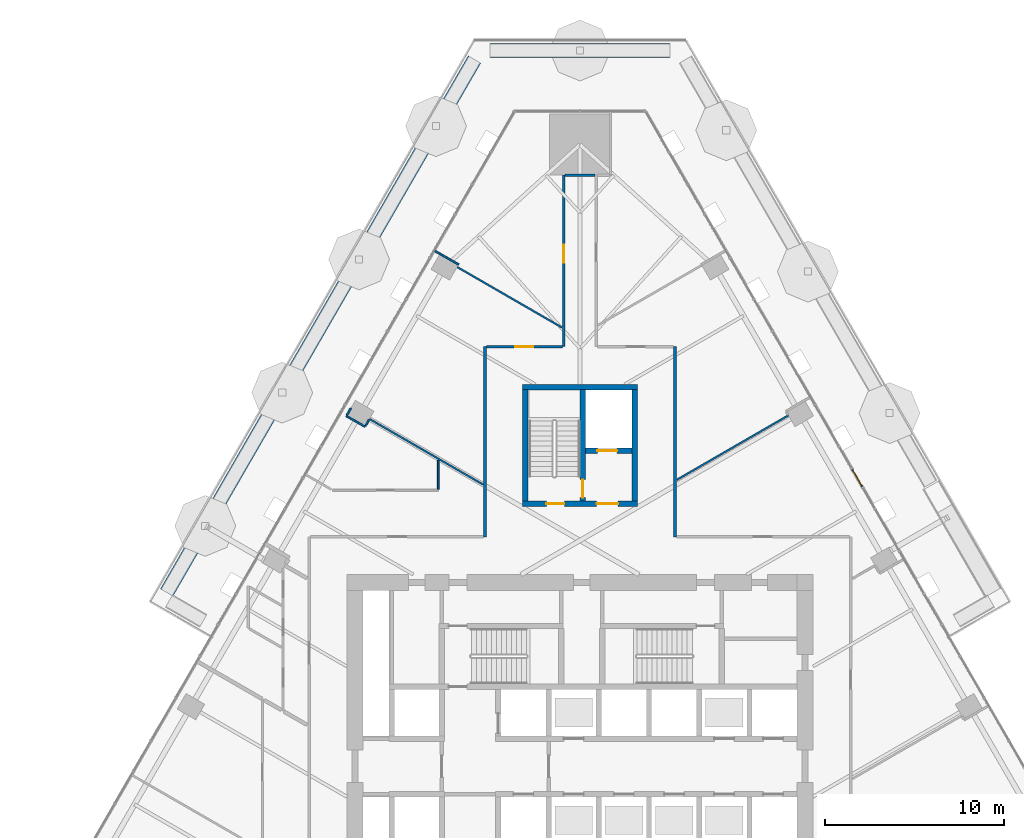
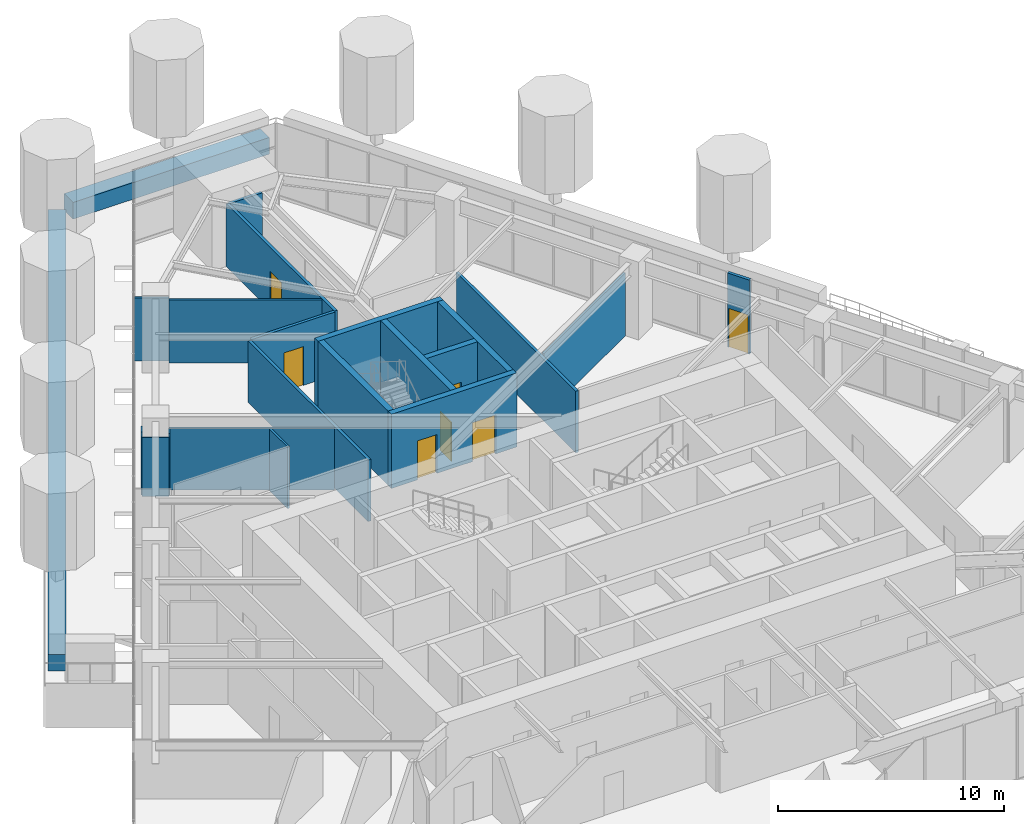
# One storey, part 20 of 25: 22 walls, 7 doors, 7 openings, 1 element without a shape of its own.
"""IFC4 building model written with IfcOpenShell, lengths in metres."""

from ifc_helpers import new_model, si_unit, direction, frame, frame_2d, origin, place, context, subcontext, project, spatial, rectangle, extrude, material, layer, layer_set, type_object, element, fill, aggregate, save


model = new_model("IFC4")

# Units and contexts
model_context = context("Model", 3, precision=1e-05, world=origin(), true_north=direction((0.0, 1.0)))
body_context = subcontext(model_context, "Body", "Model", "MODEL_VIEW")
ifc_project = project(units=[si_unit("LENGTHUNIT", "METRE"), si_unit("AREAUNIT", "SQUARE_METRE"), si_unit("VOLUMEUNIT", "CUBIC_METRE"), si_unit("PLANEANGLEUNIT", "RADIAN"), si_unit("MASSUNIT", "GRAM", prefix="KILO")], contexts=[model_context])

# Site, building, storey
site_placement = place(None, origin())
site = spatial("IfcSite", under=ifc_project, at=site_placement, CompositionType="ELEMENT")
building_placement = place(site_placement, origin())
building = spatial("IfcBuilding", under=site, at=building_placement, Name="Firuza Gate Tower and Library", CompositionType="ELEMENT")
storey_placement = place(building_placement, frame((0.0, 0.0, 86.199951171875)))
storey = spatial("IfcBuildingStorey", under=building, at=storey_placement, Name="L19", CompositionType="ELEMENT", Elevation=86.199951171875)

# Wall, openings, doors
ifc_material_1 = material(Name="Concrete C80/95", Category="concrete")
ifc_layer_1 = layer(ifc_material_1, 0.300048828125)
ifc_layer_set_1 = layer_set([ifc_layer_1], Name="Core wall 300 C80/95")
wall_type_1 = type_object("IfcWallType", Name="Core wall 300 C80/95", PredefinedType="SHEAR", material=ifc_layer_set_1)
wall_1_placement = place(storey_placement, frame((71.800048828125, 87.949951171875, 0.0), z_axis=(0.0, 0.0, 1.0), x_axis=(1.0, 0.0, 0.0)))
wall_1 = element("IfcWall", 1, at=wall_1_placement, inside=storey, type_object=wall_type_1, Name="Core wall L19 34", PredefinedType="SHEAR", context=body_context, shape_type="SweptSolid", body=[
    extrude(rectangle(XDim=6.39990234375, YDim=0.300048828125, at=frame_2d((3.199951171875, 0.0))), origin(), (0.0, 0.0, 1.0), 4.0),
])
opening_1_placement = place(wall_1_placement, frame((1.324951171875, 0.0, 0.0)))
opening_1 = element("IfcOpeningElement", 2, at=opening_1_placement, cuts=wall_1, Name="Opening L19-K17", PredefinedType="OPENING", context=body_context, shape_type="SweptSolid", body=[
    extrude(rectangle(XDim=1.0, YDim=2.10009765625, at=frame_2d((0.5, 1.050048828125))), frame((0.0, 0.16015625, 0.0), z_axis=(0.0, -1.0, 0.0), x_axis=(1.0, 0.0, 0.0)), (0.0, 0.0, 1.0), 0.320068359375),
])
opening_2_placement = place(wall_1_placement, frame((4.125, 0.0, 0.0)))
opening_2 = element("IfcOpeningElement", 3, at=opening_2_placement, cuts=wall_1, Name="Opening L19-K19", PredefinedType="OPENING", context=body_context, shape_type="SweptSolid", body=[
    extrude(rectangle(XDim=1.199951171875, YDim=2.10009765625, at=frame_2d((0.60009765625, 1.050048828125))), frame((0.0, 0.16015625, 0.0), z_axis=(0.0, -1.0, 0.0), x_axis=(1.0, 0.0, 0.0)), (0.0, 0.0, 1.0), 0.320068359375),
])
ifc_material_2 = material(Name="Steel", Category="steel")
door_type_1 = type_object("IfcDoorType", Name="Fire door 1000x2100 FD90", OperationType="NOTDEFINED", PredefinedType="DOOR", material=ifc_material_2)
door_1_placement = place(opening_1_placement, origin())
door_1 = element("IfcDoor", 4, at=door_1_placement, inside=storey, type_object=door_type_1, Name="Door L19-K17", OperationType="SINGLE_SWING_RIGHT", OverallHeight=2.10009765625, OverallWidth=1.0, PredefinedType="DOOR", context=body_context, shape_type="SweptSolid", body=[
    extrude(rectangle(XDim=1.0, YDim=2.10009765625, at=frame_2d((0.5, 1.050048828125))), frame((0.0, 0.02490234375, 0.0), z_axis=(0.0, -1.0, 0.0), x_axis=(1.0, 0.0, 0.0)), (0.0, 0.0, 1.0), 0.050048828125),
])
fill(opening_1, door_1)
ifc_material_3 = material(Name="Steel", Category="steel")
door_type_2 = type_object("IfcDoorType", Name="Fire door 1200x2100 FD30S", OperationType="NOTDEFINED", PredefinedType="DOOR", material=ifc_material_3)
door_2_placement = place(opening_2_placement, origin())
door_2 = element("IfcDoor", 5, at=door_2_placement, inside=storey, type_object=door_type_2, Name="Door L19-K19", OperationType="SINGLE_SWING_RIGHT", OverallHeight=2.10009765625, OverallWidth=1.199951171875, PredefinedType="DOOR", context=body_context, shape_type="SweptSolid", body=[
    extrude(rectangle(XDim=1.199951171875, YDim=2.10009765625, at=frame_2d((0.60009765625, 1.050048828125))), frame((0.0, 0.02490234375, 0.0), z_axis=(0.0, -1.0, 0.0), x_axis=(1.0, 0.0, 0.0)), (0.0, 0.0, 1.0), 0.050048828125),
])
fill(opening_2, door_2)

# Walls
wall_2_placement = place(storey_placement, frame((71.800048828125, 94.449951171875, 0.0), z_axis=(0.0, 0.0, 1.0), x_axis=(1.0, 0.0, 0.0)))
element("IfcWall", 6, at=wall_2_placement, inside=storey, type_object=wall_type_1, Name="Core wall L19 35", PredefinedType="SHEAR", context=body_context, shape_type="SweptSolid", body=[
    extrude(rectangle(XDim=6.39990234375, YDim=0.300048828125, at=frame_2d((3.199951171875, 0.0))), origin(), (0.0, 0.0, 1.0), 4.0),
])
for number, where, z_axis, x_axis, name in (
    (7, (71.949951171875, 88.10009765625, 0.0), (0.0, 0.0, 1.0), (0.0, 1.0, 0.0), "Core wall L19 36"),
    (8, (78.050048828125, 88.10009765625, 0.0), (0.0, 0.0, 1.0), (0.0, 1.0, 0.0), "Core wall L19 37"),
):
    element("IfcWall", number, at=place(storey_placement, frame(where, z_axis=z_axis, x_axis=x_axis)), inside=storey, type_object=wall_type_1, Name=name, PredefinedType="SHEAR", context=body_context, shape_type="SweptSolid", body=[
        extrude(rectangle(XDim=6.199951171875, YDim=0.300048828125, at=frame_2d((3.10009765625, 0.0))), origin(), (0.0, 0.0, 1.0), 4.0),
    ])

# Wall, opening, door
wall_3_placement = place(storey_placement, frame((75.300048828125, 90.89990234375, 0.0), z_axis=(0.0, 0.0, 1.0), x_axis=(1.0, 0.0, 0.0)))
wall_3 = element("IfcWall", 9, at=wall_3_placement, inside=storey, type_object=wall_type_1, Name="Core wall L19 38", PredefinedType="SHEAR", context=body_context, shape_type="SweptSolid", body=[
    extrude(rectangle(XDim=2.599853515625, YDim=0.300048828125, at=frame_2d((1.2998046875, 0.0))), origin(), (0.0, 0.0, 1.0), 4.0),
])
opening_3_placement = place(wall_3_placement, frame((0.675048828125, 0.0, 0.0)))
opening_3 = element("IfcOpeningElement", 10, at=opening_3_placement, cuts=wall_3, Name="Opening LD-SV1-L19", PredefinedType="OPENING", context=body_context, shape_type="SweptSolid", body=[
    extrude(rectangle(XDim=1.10009765625, YDim=2.10009765625, at=frame_2d((0.550048828125, 1.050048828125))), frame((0.0, 0.16015625, 0.0), z_axis=(0.0, -1.0, 0.0), x_axis=(1.0, 0.0, 0.0)), (0.0, 0.0, 1.0), 0.320068359375),
])
ifc_material_4 = material(Name="Stainless steel", Category="steel")
door_type_3 = type_object("IfcDoorType", Name="Lift landing door 1100x2100", OperationType="DOUBLE_DOOR_SLIDING", PredefinedType="DOOR", material=ifc_material_4)
door_3_placement = place(opening_3_placement, origin())
door_3 = element("IfcDoor", 11, at=door_3_placement, inside=storey, type_object=door_type_3, Name="Landing door SV1 L19", OperationType="DOUBLE_DOOR_SLIDING", OverallHeight=2.10009765625, OverallWidth=1.10009765625, PredefinedType="DOOR", context=body_context, shape_type="SweptSolid", body=[
    extrude(rectangle(XDim=1.10009765625, YDim=2.10009765625, at=frame_2d((0.550048828125, 1.050048828125))), frame((0.0, 0.02490234375, 0.0), z_axis=(0.0, -1.0, 0.0), x_axis=(1.0, 0.0, 0.0)), (0.0, 0.0, 1.0), 0.050048828125),
])
fill(opening_3, door_3)

wall_4_placement = place(storey_placement, frame((75.14990234375, 88.10009765625, 0.0), z_axis=(0.0, 0.0, 1.0), x_axis=(0.0, 1.0, 0.0)))
wall_4 = element("IfcWall", 12, at=wall_4_placement, inside=storey, type_object=wall_type_1, Name="Core wall L19 39", PredefinedType="SHEAR", context=body_context, shape_type="SweptSolid", body=[
    extrude(rectangle(XDim=6.199951171875, YDim=0.300048828125, at=frame_2d((3.10009765625, 0.0))), origin(), (0.0, 0.0, 1.0), 4.0),
])
opening_4_placement = place(wall_4_placement, frame((0.18505859375, 0.0, 0.0)))
opening_4 = element("IfcOpeningElement", 13, at=opening_4_placement, cuts=wall_4, Name="Opening L19-K18", PredefinedType="OPENING", context=body_context, shape_type="SweptSolid", body=[
    extrude(rectangle(XDim=1.0, YDim=2.10009765625, at=frame_2d((0.5, 1.050048828125))), frame((0.0, 0.16015625, 0.0), z_axis=(0.0, -1.0, 0.0), x_axis=(1.0, 0.0, 0.0)), (0.0, 0.0, 1.0), 0.320068359375),
])
door_4_placement = place(opening_4_placement, origin())
door_4 = element("IfcDoor", 14, at=door_4_placement, inside=storey, type_object=door_type_1, Name="Door L19-K18", OperationType="SINGLE_SWING_LEFT", OverallHeight=2.10009765625, OverallWidth=1.0, PredefinedType="DOOR", context=body_context, shape_type="SweptSolid", body=[
    extrude(rectangle(XDim=1.0, YDim=2.10009765625, at=frame_2d((0.5, 1.050048828125))), frame((0.0, 0.02490234375, 0.0), z_axis=(0.0, -1.0, 0.0), x_axis=(1.0, 0.0, 0.0)), (0.0, 0.0, 1.0), 0.050048828125),
])
fill(opening_4, door_4)

ifc_material_5 = material(Name="Gypsum board partition")
ifc_layer_2 = layer(ifc_material_5, 0.14990234375)
ifc_layer_set_2 = layer_set([ifc_layer_2], Name="Corridor wall 150 double board on steel studs")
wall_type_2 = type_object("IfcWallType", Name="Corridor wall 150 double board on steel studs", PredefinedType="PARTITIONING", material=ifc_layer_set_2)
wall_5_placement = place(storey_placement, frame((74.02490234375, 96.699951171875, 0.0), z_axis=(0.0, 0.0, 1.0), x_axis=(-1.0, 0.0, 0.0)))
wall_5 = element("IfcWall", 15, at=wall_5_placement, inside=storey, type_object=wall_type_2, Name="f:L19:w008", PredefinedType="PARTITIONING", context=body_context, shape_type="SweptSolid", body=[
    extrude(rectangle(XDim=4.24951171875, YDim=0.14990234375, at=frame_2d((2.124755859375, 0.0))), origin(), (0.0, 0.0, 1.0), 3.400146484375),
])
opening_5_placement = place(wall_5_placement, frame((1.624755859375, 0.0, 0.0)))
opening_5 = element("IfcOpeningElement", 16, at=opening_5_placement, cuts=wall_5, Name="Opening L19-13", PredefinedType="OPENING", context=body_context, shape_type="SweptSolid", body=[
    extrude(rectangle(XDim=1.0, YDim=2.10009765625, at=frame_2d((0.5, 1.050048828125))), frame((0.0, 0.0849609375, 0.0), z_axis=(0.0, -1.0, 0.0), x_axis=(1.0, 0.0, 0.0)), (0.0, 0.0, 1.0), 0.169921875),
])
ifc_material_6 = material(Name="Steel door and timber leaf", Category="steel")
door_type_4 = type_object("IfcDoorType", Name="Fire door 1000 x 2100 steel frame, timber leaf", OperationType="NOTDEFINED", PredefinedType="DOOR", material=ifc_material_6)
door_5_placement = place(opening_5_placement, origin())
door_5 = element("IfcDoor", 17, at=door_5_placement, inside=storey, type_object=door_type_4, Name="f:L19:d013", OperationType="SINGLE_SWING_LEFT", OverallHeight=2.10009765625, OverallWidth=1.0, PredefinedType="DOOR", context=body_context, shape_type="SweptSolid", body=[
    extrude(rectangle(XDim=1.0, YDim=2.10009765625, at=frame_2d((0.5, 1.050048828125))), frame((0.0, 0.02490234375, 0.0), z_axis=(0.0, -1.0, 0.0), x_axis=(1.0, 0.0, 0.0)), (0.0, 0.0, 1.0), 0.050048828125),
])
fill(opening_5, door_5)

# Walls
wall_6_placement = place(storey_placement, frame((74.175537109375, 106.26611328125, 0.0), z_axis=(0.0, 0.0, 1.0), x_axis=(1.0, 0.0, 0.0)))
element("IfcWall", 18, at=wall_6_placement, inside=storey, type_object=wall_type_2, Name="f:L19:w010", PredefinedType="PARTITIONING", context=body_context, shape_type="SweptSolid", body=[
    extrude(rectangle(XDim=1.6494140625, YDim=0.14990234375, at=frame_2d((0.82470703125, 0.0))), origin(), (0.0, 0.0, 1.0), 3.39697265625),
])
wall_7_placement = place(storey_placement, frame((80.300048828125, 86.10009765625, 0.0), z_axis=(0.0, 0.0, 1.0), x_axis=(0.0, 1.0, 0.0)))
element("IfcWall", 19, at=wall_7_placement, inside=storey, type_object=wall_type_2, Name="f:L19:w035", PredefinedType="PARTITIONING", context=body_context, shape_type="SweptSolid", body=[
    extrude(rectangle(XDim=10.599365234375, YDim=0.14990234375, at=frame_2d((5.2998046875, 0.0))), origin(), (0.0, 0.0, 1.0), 3.322021484375),
])

# Wall, opening, door
wall_8_placement = place(storey_placement, frame((74.10009765625, 96.699951171875, 0.0), z_axis=(0.0, 0.0, 1.0), x_axis=(0.0, 1.0, 0.0)))
wall_8 = element("IfcWall", 20, at=wall_8_placement, inside=storey, type_object=wall_type_2, Name="f:L19:w041", PredefinedType="PARTITIONING", context=body_context, shape_type="SweptSolid", body=[
    extrude(rectangle(XDim=9.565673828125, YDim=0.14990234375, at=frame_2d((4.78271484375, 0.0))), origin(), (0.0, 0.0, 1.0), 3.400146484375),
])
opening_6_placement = place(wall_8_placement, frame((4.686279296875, 0.0, 0.0)))
opening_6 = element("IfcOpeningElement", 21, at=opening_6_placement, cuts=wall_8, Name="Opening L19-24", PredefinedType="OPENING", context=body_context, shape_type="SweptSolid", body=[
    extrude(rectangle(XDim=1.0, YDim=2.10009765625, at=frame_2d((0.5, 1.050048828125))), frame((0.0, 0.0849609375, 0.0), z_axis=(0.0, -1.0, 0.0), x_axis=(1.0, 0.0, 0.0)), (0.0, 0.0, 1.0), 0.169921875),
])
door_6_placement = place(opening_6_placement, origin())
door_6 = element("IfcDoor", 22, at=door_6_placement, inside=storey, type_object=door_type_4, Name="f:L19:d024", OperationType="SINGLE_SWING_LEFT", OverallHeight=2.10009765625, OverallWidth=1.0, PredefinedType="DOOR", context=body_context, shape_type="SweptSolid", body=[
    extrude(rectangle(XDim=1.0, YDim=2.10009765625, at=frame_2d((0.5, 1.050048828125))), frame((0.0, 0.02490234375, 0.0), z_axis=(0.0, -1.0, 0.0), x_axis=(1.0, 0.0, 0.0)), (0.0, 0.0, 1.0), 0.050048828125),
])
fill(opening_6, door_6)

# Walls
wall_9_placement = place(storey_placement, frame((69.699951171875, 86.10009765625, 0.0), z_axis=(0.0, 0.0, 1.0), x_axis=(0.0, 1.0, 0.0)))
element("IfcWall", 23, at=wall_9_placement, inside=storey, type_object=wall_type_2, Name="f:L19:w043", PredefinedType="PARTITIONING", context=body_context, shape_type="SweptSolid", body=[
    extrude(rectangle(XDim=10.599365234375, YDim=0.14990234375, at=frame_2d((5.2998046875, 0.0))), origin(), (0.0, 0.0, 1.0), 3.322021484375),
])
ifc_material_7 = material(Name="Gypsum board partition")
ifc_layer_3 = layer(ifc_material_7, 0.10009765625)
ifc_layer_set_3 = layer_set([ifc_layer_3], Name="Partition 100 gypsum board on steel studs")
wall_type_3 = type_object("IfcWallType", Name="Partition 100 gypsum board on steel studs", PredefinedType="PARTITIONING", material=ifc_layer_set_3)
wall_10_placement = place(storey_placement, frame((80.401123046875, 89.27978515625, 0.0), z_axis=(0.0, 0.0, 1.0), x_axis=(0.866017489163, 0.500013708276, 0.0)))
element("IfcWall", 24, at=wall_10_placement, inside=storey, type_object=wall_type_3, Name="f:L19:w023", PredefinedType="PARTITIONING", context=body_context, shape_type="SweptSolid", body=[
    extrude(rectangle(XDim=7.183349609375, YDim=0.10009765625, at=frame_2d((3.591796875, 0.0))), origin(), (0.0, 0.0, 1.0), 3.400146484375),
])
wall_11_placement = place(storey_placement, frame((63.037841796875, 92.28271484375, 0.0), z_axis=(0.0, 0.0, 1.0), x_axis=(0.500246304613, 0.865883153041, 0.0)))
element("IfcWall", 25, at=wall_11_placement, inside=storey, type_object=wall_type_3, Name="f:L19:w029", PredefinedType="PARTITIONING", context=body_context, shape_type="SweptSolid", body=[
    extrude(rectangle(XDim=0.389892578125, YDim=0.10009765625, at=frame_2d((0.19482421875, 0.0))), origin(), (0.0, 0.0, 1.0), 3.322021484375),
])
wall_12_placement = place(storey_placement, frame((62.002197265625, 92.888671875, 0.0), z_axis=(0.0, 0.0, 1.0), x_axis=(0.4997542532, 0.866167239284, 0.0)))
element("IfcWall", 26, at=wall_12_placement, inside=storey, type_object=wall_type_3, Name="f:L19:w030", PredefinedType="PARTITIONING", context=body_context, shape_type="SweptSolid", body=[
    extrude(rectangle(XDim=0.443115234375, YDim=0.10009765625, at=frame_2d((0.2216796875, 0.0))), origin(), (0.0, 0.0, 1.0), 3.400146484375),
])
wall_13_placement = place(storey_placement, frame((67.10009765625, 88.75, 0.0), z_axis=(0.0, 0.0, 1.0), x_axis=(0.0, 1.0, 0.0)))
element("IfcWall", 27, at=wall_13_placement, inside=storey, type_object=wall_type_3, Name="f:L19:w044", PredefinedType="PARTITIONING", context=body_context, shape_type="SweptSolid", body=[
    extrude(rectangle(XDim=1.619140625, YDim=0.10009765625, at=frame_2d((0.8095703125, 0.0))), origin(), (0.0, 0.0, 1.0), 3.322021484375),
])
wall_14_placement = place(storey_placement, frame((68.23046875, 101.27734375, 0.0), z_axis=(0.0, 0.0, 1.0), x_axis=(-0.866018739521, 0.500011542666, 0.0)))
element("IfcWall", 28, at=wall_14_placement, inside=storey, type_object=wall_type_3, Name="f:L19:w058", PredefinedType="PARTITIONING", context=body_context, shape_type="SweptSolid", body=[
    extrude(rectangle(XDim=1.5595703125, YDim=0.10009765625, at=frame_2d((0.77978515625, 0.0))), origin(), (0.0, 0.0, 1.0), 3.400146484375),
])
wall_15_placement = place(storey_placement, frame((73.998779296875, 97.76806640625, 0.0), z_axis=(0.0, 0.0, 1.0), x_axis=(-0.866030773134, 0.499990699898, 0.0)))
element("IfcWall", 29, at=wall_15_placement, inside=storey, type_object=wall_type_3, Name="f:L19:w059", PredefinedType="PARTITIONING", context=body_context, shape_type="SweptSolid", body=[
    extrude(rectangle(XDim=6.749267578125, YDim=0.10009765625, at=frame_2d((3.37451171875, 0.0))), origin(), (0.0, 0.0, 1.0), 3.400146484375),
])
wall_16_placement = place(storey_placement, frame((69.598876953125, 89.01416015625, 0.0), z_axis=(0.0, 0.0, 1.0), x_axis=(-0.866016649877, 0.500015161905, 0.0)))
element("IfcWall", 30, at=wall_16_placement, inside=storey, type_object=wall_type_3, Name="f:L19:w060", PredefinedType="PARTITIONING", context=body_context, shape_type="SweptSolid", body=[
    extrude(rectangle(XDim=7.316162109375, YDim=0.10009765625, at=frame_2d((3.658203125, 0.0))), origin(), (0.0, 0.0, 1.0), 3.322021484375),
])
wall_17_placement = place(storey_placement, frame((63.012939453125, 92.2392578125, 0.0), z_axis=(0.0, 0.0, 1.0), x_axis=(-0.866006032174, 0.500033551112, 0.0)))
element("IfcWall", 31, at=wall_17_placement, inside=storey, type_object=wall_type_3, Name="f:L19:w061", PredefinedType="PARTITIONING", context=body_context, shape_type="SweptSolid", body=[
    extrude(rectangle(XDim=1.2001953125, YDim=0.10009765625, at=frame_2d((0.60009765625, 0.0))), origin(), (0.0, 0.0, 1.0), 3.1650390625),
])
ifc_material_8 = material(Name="Concrete C40/50", Category="concrete")
ifc_layer_4 = layer(ifc_material_8, 0.800048828125)
ifc_layer_set_4 = layer_set([ifc_layer_4], Name="Planter wall 800")
wall_type_4 = type_object("IfcWallType", Name="Planter wall 800", PredefinedType="SOLIDWALL", material=ifc_layer_set_4)
wall_18_placement = place(storey_placement, frame((80.009521484375, 113.21630859375, 0.0), z_axis=(0.0, 0.0, 1.0), x_axis=(-1.0, 0.0, 0.0)))
element("IfcWall", 32, at=wall_18_placement, inside=storey, type_object=wall_type_4, Name="PLANTER L19 3", PredefinedType="SOLIDWALL", context=body_context, shape_type="SweptSolid", body=[
    extrude(rectangle(XDim=10.01904296875, YDim=0.800048828125, at=frame_2d((5.009521484375, 0.0))), origin(), (0.0, 0.0, 1.0), 0.900146484375),
])
wall_19_placement = place(storey_placement, frame((69.116943359375, 112.7119140625, 0.0), z_axis=(0.0, 0.0, 1.0), x_axis=(-0.499998392273, -0.866026332004, 0.0)))
element("IfcWall", 33, at=wall_19_placement, inside=storey, type_object=wall_type_4, Name="PLANTER L19 4", PredefinedType="SOLIDWALL", context=body_context, shape_type="SweptSolid", body=[
    extrude(rectangle(XDim=34.31103515625, YDim=0.800048828125, at=frame_2d((17.155517578125, 0.0))), origin(), (0.0, 0.0, 1.0), 0.900146484375),
])

# Curtain wall, wall, opening, door
ifc_material_9 = material(Name="Aluminium 6063-T6", Category="aluminium")
ifc_layer_5 = layer(ifc_material_9, 0.14990234375)
ifc_layer_set_5 = layer_set([ifc_layer_5], Name="Unitised curtain wall, offices")
curtain_wall_type = type_object("IfcCurtainWallType", Name="Unitised curtain wall, offices", PredefinedType="NOTDEFINED", material=ifc_layer_set_5)
curtain_wall_placement = place(storey_placement, origin())
curtain_wall = element("IfcCurtainWall", 34, at=curtain_wall_placement, inside=storey, type_object=curtain_wall_type, Name="CW1 L19 E face", PredefinedType="NOTDEFINED")
ifc_material_10 = material(Name="Aluminium 6063-T6", Category="aluminium")
ifc_layer_6 = layer(ifc_material_10, 0.14990234375)
ifc_layer_set_6 = layer_set([ifc_layer_6], Name="Terrace door wall 150")
wall_type_5 = type_object("IfcWallType", Name="Terrace door wall 150", PredefinedType="SOLIDWALL", material=ifc_layer_set_6)
wall_20_placement = place(storey_placement, frame((90.7392578125, 88.890625, 0.0), z_axis=(0.0, 0.0, 1.0), x_axis=(-0.500030632641, 0.866007717299, 0.0)))
wall_20 = element("IfcWall", 35, at=wall_20_placement, type_object=wall_type_5, Name="Terrace door wall", PredefinedType="SOLIDWALL", context=body_context, shape_type="SweptSolid", body=[
    extrude(rectangle(XDim=1.1201171875, YDim=0.14990234375, at=frame_2d((0.56005859375, 0.0))), origin(), (0.0, 0.0, 1.0), 4.0),
])
opening_7_placement = place(wall_20_placement, frame((0.06005859375, 0.0, 0.0)))
opening_7 = element("IfcOpeningElement", 36, at=opening_7_placement, cuts=wall_20, Name="Opening DR6", PredefinedType="OPENING", context=body_context, shape_type="SweptSolid", body=[
    extrude(rectangle(XDim=1.0, YDim=2.10009765625, at=frame_2d((0.5, 1.050048828125))), frame((0.0, 0.0849609375, 0.0), z_axis=(0.0, -1.0, 0.0), x_axis=(1.0, 0.0, 0.0)), (0.0, 0.0, 1.0), 0.169921875),
])
ifc_material_11 = material(Name="Aluminium 6063-T6 and glass", Category="aluminium")
door_type_5 = type_object("IfcDoorType", Name="Terrace door 1000x2100", OperationType="NOTDEFINED", PredefinedType="DOOR", material=ifc_material_11)
door_7_placement = place(opening_7_placement, origin())
door_7 = element("IfcDoor", 37, at=door_7_placement, inside=storey, type_object=door_type_5, Name="Terrace door", OperationType="SINGLE_SWING_LEFT", OverallHeight=2.10009765625, OverallWidth=1.0, PredefinedType="DOOR", context=body_context, shape_type="SweptSolid", body=[
    extrude(rectangle(XDim=1.0, YDim=2.10009765625, at=frame_2d((0.5, 1.050048828125))), frame((0.0, 0.02490234375, 0.0), z_axis=(0.0, -1.0, 0.0), x_axis=(1.0, 0.0, 0.0)), (0.0, 0.0, 1.0), 0.050048828125),
])
fill(opening_7, door_7)
aggregate(curtain_wall, [wall_20])

save(model, "model.ifc")
